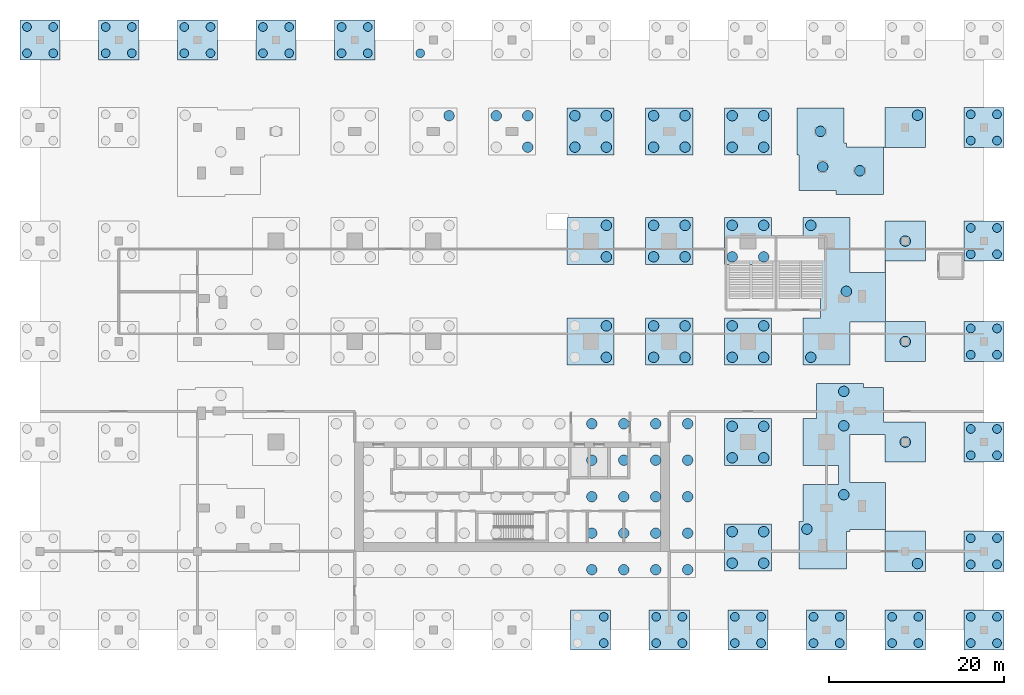
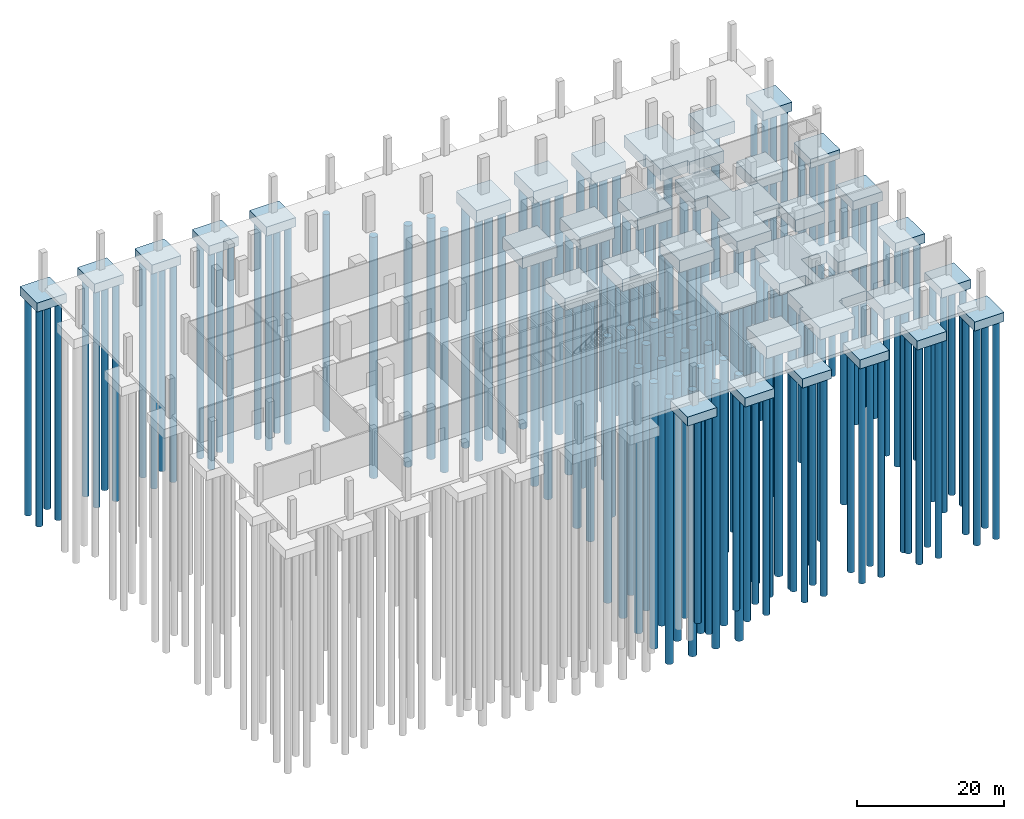
# One storey, part 2 of 9: 142 piles, 30 footings.
"""IFC4 building model written with IfcOpenShell, lengths in metres."""

from ifc_helpers import new_model, si_unit, direction, frame, origin, origin_2d, place, context, subcontext, project, spatial, polyline, circle, outline, extrude, material, material_profile, profile_set, type_object, element, save


model = new_model("IFC4")

# Units and contexts
model_context = context("Model", 3, precision=1e-05, world=origin(), true_north=direction((0.0, 1.0)))
body_context = subcontext(model_context, "Body", "Model", "MODEL_VIEW")
ifc_project = project(units=[si_unit("LENGTHUNIT", "METRE"), si_unit("AREAUNIT", "SQUARE_METRE"), si_unit("VOLUMEUNIT", "CUBIC_METRE"), si_unit("PLANEANGLEUNIT", "RADIAN"), si_unit("MASSUNIT", "GRAM", prefix="KILO")], contexts=[model_context])

# Site, building, storey
site_placement = place(None, origin())
site = spatial("IfcSite", under=ifc_project, at=site_placement, CompositionType="ELEMENT")
building_placement = place(site_placement, origin())
building = spatial("IfcBuilding", under=site, at=building_placement, Name="Brigalow Station Residences", CompositionType="ELEMENT")
storey_placement = place(building_placement, frame((0.0, 0.0, -6.0)))
storey = spatial("IfcBuildingStorey", under=building, at=storey_placement, Name="B1", CompositionType="ELEMENT", Elevation=-6.0)

# Piles
ifc_material_1 = material(Name="Concrete C50", Category="concrete")
ifc_material_profile_1 = material_profile(ifc_material_1, circle(Radius=0.5, at=origin_2d()), Name="BP1000")
ifc_profile_set_1 = profile_set([ifc_material_profile_1], Name="Concrete C50")
pile_type_1 = type_object("IfcPileType", Name="BORED PILE 1000", PredefinedType="BORED", material=ifc_profile_set_1)
for number, where, z_axis, x_axis, name in (
    (1, (46.5, -10.5, -2.0), (0.0, 0.0, -1.0), (1.0, 0.0, 0.0), "BORED PILE 08-3"),
    (2, (46.5, -7.5, -2.0), (0.0, 0.0, -1.0), (1.0, 0.0, 0.0), "BORED PILE 08-4"),
    (3, (52.5, -10.5, -2.0), (0.0, 0.0, -1.0), (1.0, 0.0, 0.0), "BORED PILE 09-1"),
    (4, (52.5, -7.5, -2.0), (0.0, 0.0, -1.0), (1.0, 0.0, 0.0), "BORED PILE 09-2"),
    (5, (55.5, -10.5, -2.0), (0.0, 0.0, -1.0), (1.0, 0.0, 0.0), "BORED PILE 09-3"),
    (6, (55.5, -7.5, -2.0), (0.0, 0.0, -1.0), (1.0, 0.0, 0.0), "BORED PILE 09-4"),
    (7, (61.5, -10.5, -2.0), (0.0, 0.0, -1.0), (1.0, 0.0, 0.0), "BORED PILE 10-1"),
    (8, (61.5, -7.5, -2.0), (0.0, 0.0, -1.0), (1.0, 0.0, 0.0), "BORED PILE 10-2"),
    (9, (64.5, -10.5, -2.0), (0.0, 0.0, -1.0), (1.0, 0.0, 0.0), "BORED PILE 10-3"),
    (10, (64.5, -7.5, -2.0), (0.0, 0.0, -1.0), (1.0, 0.0, 0.0), "BORED PILE 10-4"),
    (11, (70.5, -10.5, -2.0), (0.0, 0.0, -1.0), (1.0, 0.0, 0.0), "BORED PILE 11-1"),
    (12, (70.5, -7.5, -2.0), (0.0, 0.0, -1.0), (1.0, 0.0, 0.0), "BORED PILE 11-2"),
    (13, (73.5, -10.5, -2.0), (0.0, 0.0, -1.0), (1.0, 0.0, 0.0), "BORED PILE 11-3"),
    (14, (73.5, -7.5, -2.0), (0.0, 0.0, -1.0), (1.0, 0.0, 0.0), "BORED PILE 11-4"),
    (15, (79.5, -10.5, -2.0), (0.0, 0.0, -1.0), (1.0, 0.0, 0.0), "BORED PILE 12-1"),
    (16, (79.5, -7.5, -2.0), (0.0, 0.0, -1.0), (1.0, 0.0, 0.0), "BORED PILE 12-2"),
    (17, (82.5, -10.5, -2.0), (0.0, 0.0, -1.0), (1.0, 0.0, 0.0), "BORED PILE 12-3"),
    (18, (82.5, -7.5, -2.0), (0.0, 0.0, -1.0), (1.0, 0.0, 0.0), "BORED PILE 12-4"),
    (19, (88.5, -10.5, -2.0), (0.0, 0.0, -1.0), (1.0, 0.0, 0.0), "BORED PILE 13-1"),
    (20, (88.5, -7.5, -2.0), (0.0, 0.0, -1.0), (1.0, 0.0, 0.0), "BORED PILE 13-2"),
    (21, (91.5, -10.5, -2.0), (0.0, 0.0, -1.0), (1.0, 0.0, 0.0), "BORED PILE 13-3"),
    (22, (91.5, -7.5, -2.0), (0.0, 0.0, -1.0), (1.0, 0.0, 0.0), "BORED PILE 13-4"),
    (23, (88.5, -1.5, -2.0), (0.0, 0.0, -1.0), (1.0, 0.0, 0.0), "BORED PILE 18-1"),
    (24, (88.5, 1.5, -2.0), (0.0, 0.0, -1.0), (1.0, 0.0, 0.0), "BORED PILE 18-2"),
    (25, (91.5, -1.5, -2.0), (0.0, 0.0, -1.0), (1.0, 0.0, 0.0), "BORED PILE 18-3"),
    (26, (91.5, 1.5, -2.0), (0.0, 0.0, -1.0), (1.0, 0.0, 0.0), "BORED PILE 18-4"),
    (27, (88.5, 11.0, -2.0), (0.0, 0.0, -1.0), (1.0, 0.0, 0.0), "BORED PILE 24-1"),
    (28, (88.5, 14.0, -2.0), (0.0, 0.0, -1.0), (1.0, 0.0, 0.0), "BORED PILE 24-2"),
    (29, (91.5, 11.0, -2.0), (0.0, 0.0, -1.0), (1.0, 0.0, 0.0), "BORED PILE 24-3"),
    (30, (91.5, 14.0, -2.0), (0.0, 0.0, -1.0), (1.0, 0.0, 0.0), "BORED PILE 24-4"),
    (31, (88.5, 22.5, -2.0), (0.0, 0.0, -1.0), (1.0, 0.0, 0.0), "BORED PILE 34-1"),
    (32, (88.5, 25.5, -2.0), (0.0, 0.0, -1.0), (1.0, 0.0, 0.0), "BORED PILE 34-2"),
    (33, (91.5, 22.5, -2.0), (0.0, 0.0, -1.0), (1.0, 0.0, 0.0), "BORED PILE 34-3"),
    (34, (91.5, 25.5, -2.0), (0.0, 0.0, -1.0), (1.0, 0.0, 0.0), "BORED PILE 34-4"),
    (35, (88.5, 34.0, -2.0), (0.0, 0.0, -1.0), (1.0, 0.0, 0.0), "BORED PILE 42-1"),
    (36, (88.5, 37.0, -2.0), (0.0, 0.0, -1.0), (1.0, 0.0, 0.0), "BORED PILE 42-2"),
    (37, (91.5, 34.0, -2.0), (0.0, 0.0, -1.0), (1.0, 0.0, 0.0), "BORED PILE 42-3"),
    (38, (91.5, 37.0, -2.0), (0.0, 0.0, -1.0), (1.0, 0.0, 0.0), "BORED PILE 42-4"),
    (39, (88.5, 47.0, -2.0), (0.0, 0.0, -1.0), (1.0, 0.0, 0.0), "BORED PILE 53-1"),
    (40, (88.5, 50.0, -2.0), (0.0, 0.0, -1.0), (1.0, 0.0, 0.0), "BORED PILE 53-2"),
    (41, (91.5, 47.0, -2.0), (0.0, 0.0, -1.0), (1.0, 0.0, 0.0), "BORED PILE 53-3"),
    (42, (91.5, 50.0, -2.0), (0.0, 0.0, -1.0), (1.0, 0.0, 0.0), "BORED PILE 53-4"),
    (43, (-19.5, 57.0, -2.0), (0.0, 0.0, -1.0), (1.0, 0.0, 0.0), "BORED PILE 54-1"),
    (44, (-19.5, 60.0, -2.0), (0.0, 0.0, -1.0), (1.0, 0.0, 0.0), "BORED PILE 54-2"),
    (45, (-16.5, 57.0, -2.0), (0.0, 0.0, -1.0), (1.0, 0.0, 0.0), "BORED PILE 54-3"),
    (46, (-16.5, 60.0, -2.0), (0.0, 0.0, -1.0), (1.0, 0.0, 0.0), "BORED PILE 54-4"),
    (47, (-10.5, 57.0, -2.0), (0.0, 0.0, -1.0), (1.0, 0.0, 0.0), "BORED PILE 55-1"),
    (48, (-10.5, 60.0, -2.0), (0.0, 0.0, -1.0), (1.0, 0.0, 0.0), "BORED PILE 55-2"),
    (49, (-7.5, 57.0, -2.0), (0.0, 0.0, -1.0), (1.0, 0.0, 0.0), "BORED PILE 55-3"),
    (50, (-7.5, 60.0, -2.0), (0.0, 0.0, -1.0), (1.0, 0.0, 0.0), "BORED PILE 55-4"),
    (51, (-1.5, 57.0, -2.0), (0.0, 0.0, -1.0), (1.0, 0.0, 0.0), "BORED PILE 56-1"),
    (52, (-1.5, 60.0, -2.0), (0.0, 0.0, -1.0), (1.0, 0.0, 0.0), "BORED PILE 56-2"),
    (53, (1.5, 57.0, -2.0), (0.0, 0.0, -1.0), (1.0, 0.0, 0.0), "BORED PILE 56-3"),
    (54, (1.5, 60.0, -2.0), (0.0, 0.0, -1.0), (1.0, 0.0, 0.0), "BORED PILE 56-4"),
    (55, (7.5, 57.0, -2.0), (0.0, 0.0, -1.0), (1.0, 0.0, 0.0), "BORED PILE 57-1"),
    (56, (7.5, 60.0, -2.0), (0.0, 0.0, -1.0), (1.0, 0.0, 0.0), "BORED PILE 57-2"),
    (57, (10.5, 57.0, -2.0), (0.0, 0.0, -1.0), (1.0, 0.0, 0.0), "BORED PILE 57-3"),
    (58, (10.5, 60.0, -2.0), (0.0, 0.0, -1.0), (1.0, 0.0, 0.0), "BORED PILE 57-4"),
    (59, (16.5, 57.0, -2.0), (0.0, 0.0, -1.0), (1.0, 0.0, 0.0), "BORED PILE 58-1"),
    (60, (16.5, 60.0, -2.0), (0.0, 0.0, -1.0), (1.0, 0.0, 0.0), "BORED PILE 58-2"),
    (61, (19.5, 57.0, -2.0), (0.0, 0.0, -1.0), (1.0, 0.0, 0.0), "BORED PILE 58-3"),
    (62, (19.5, 60.0, -2.0), (0.0, 0.0, -1.0), (1.0, 0.0, 0.0), "BORED PILE 58-4"),
    (63, (25.5, 57.0, -2.0), (0.0, 0.0, -1.0), (1.0, 0.0, 0.0), "BORED PILE 59-1"),
):
    element("IfcPile", number, at=place(storey_placement, frame(where, z_axis=z_axis, x_axis=x_axis)), inside=storey, type_object=pile_type_1, Name=name, PredefinedType="BORED", context=body_context, shape_type="SweptSolid", body=[
        extrude(circle(Radius=0.5, at=origin_2d()), origin(), (0.0, 0.0, 1.0), 36.0),
    ])
ifc_material_2 = material(Name="Concrete C50", Category="concrete")
ifc_material_profile_2 = material_profile(ifc_material_2, circle(Radius=0.60009765625, at=origin_2d()), Name="BP1200")
ifc_profile_set_2 = profile_set([ifc_material_profile_2], Name="Concrete C50")
pile_type_2 = type_object("IfcPileType", Name="BORED PILE 1200", PredefinedType="BORED", material=ifc_profile_set_2)
for number, where, z_axis, x_axis, name in (
    (64, (69.75, 2.5400390625, -2.5), (0.0, 0.0, -1.0), (1.0, 0.0, 0.0), "BORED PILE 17-1"),
    (65, (73.966796875, 6.47998046875, -2.5), (0.0, 0.0, -1.0), (1.0, 0.0, 0.0), "BORED PILE 17-2"),
    (66, (73.966796875, 14.360107421875, -2.5), (0.0, 0.0, -1.0), (1.0, 0.0, 0.0), "BORED PILE 17-3"),
    (67, (73.966796875, 18.300048828125, -2.5), (0.0, 0.0, -1.0), (1.0, 0.0, 0.0), "BORED PILE 17-4"),
    (68, (81.0, 12.5, -2.5), (0.0, 0.0, -1.0), (1.0, 0.0, 0.0), "BORED PILE 17-5"),
    (69, (82.39990234375, -1.39990234375, -2.5), (0.0, 0.0, -1.0), (1.0, 0.0, 0.0), "BORED PILE 17-6"),
    (70, (61.199951171875, -1.35009765625, -2.5), (0.0, 0.0, -1.0), (1.0, 0.0, 0.0), "BORED PILE 19-1"),
    (71, (61.199951171875, 2.25, -2.5), (0.0, 0.0, -1.0), (1.0, 0.0, 0.0), "BORED PILE 19-2"),
    (72, (64.800048828125, -1.35009765625, -2.5), (0.0, 0.0, -1.0), (1.0, 0.0, 0.0), "BORED PILE 19-3"),
    (73, (64.800048828125, 2.25, -2.5), (0.0, 0.0, -1.0), (1.0, 0.0, 0.0), "BORED PILE 19-4"),
    (74, (61.199951171875, 10.699951171875, -2.5), (0.0, 0.0, -1.0), (1.0, 0.0, 0.0), "BORED PILE 23-1"),
    (75, (61.199951171875, 14.300048828125, -2.5), (0.0, 0.0, -1.0), (1.0, 0.0, 0.0), "BORED PILE 23-2"),
    (76, (64.800048828125, 10.699951171875, -2.5), (0.0, 0.0, -1.0), (1.0, 0.0, 0.0), "BORED PILE 23-3"),
    (77, (64.800048828125, 14.300048828125, -2.5), (0.0, 0.0, -1.0), (1.0, 0.0, 0.0), "BORED PILE 23-4"),
    (78, (46.800048828125, 22.199951171875, -2.5), (0.0, 0.0, -1.0), (1.0, 0.0, 0.0), "BORED PILE 30-3"),
    (79, (46.800048828125, 25.800048828125, -2.5), (0.0, 0.0, -1.0), (1.0, 0.0, 0.0), "BORED PILE 30-4"),
    (80, (52.199951171875, 22.199951171875, -2.5), (0.0, 0.0, -1.0), (1.0, 0.0, 0.0), "BORED PILE 31-1"),
    (81, (52.199951171875, 25.800048828125, -2.5), (0.0, 0.0, -1.0), (1.0, 0.0, 0.0), "BORED PILE 31-2"),
    (82, (55.800048828125, 22.199951171875, -2.5), (0.0, 0.0, -1.0), (1.0, 0.0, 0.0), "BORED PILE 31-3"),
    (83, (55.800048828125, 25.800048828125, -2.5), (0.0, 0.0, -1.0), (1.0, 0.0, 0.0), "BORED PILE 31-4"),
    (84, (61.199951171875, 22.199951171875, -2.5), (0.0, 0.0, -1.0), (1.0, 0.0, 0.0), "BORED PILE 32-1"),
    (85, (61.199951171875, 25.800048828125, -2.5), (0.0, 0.0, -1.0), (1.0, 0.0, 0.0), "BORED PILE 32-2"),
    (86, (64.800048828125, 22.199951171875, -2.5), (0.0, 0.0, -1.0), (1.0, 0.0, 0.0), "BORED PILE 32-3"),
    (87, (64.800048828125, 25.800048828125, -2.5), (0.0, 0.0, -1.0), (1.0, 0.0, 0.0), "BORED PILE 32-4"),
    (88, (70.199951171875, 22.199951171875, -2.5), (0.0, 0.0, -1.0), (1.0, 0.0, 0.0), "BORED PILE 33-1"),
    (89, (70.199951171875, 37.300048828125, -2.5), (0.0, 0.0, -1.0), (1.0, 0.0, 0.0), "BORED PILE 33-2"),
    (90, (74.2666015625, 29.75, -2.5), (0.0, 0.0, -1.0), (1.0, 0.0, 0.0), "BORED PILE 33-3"),
    (91, (81.0, 24.0, -2.5), (0.0, 0.0, -1.0), (1.0, 0.0, 0.0), "BORED PILE 33-4"),
    (92, (81.0, 35.5, -2.5), (0.0, 0.0, -1.0), (1.0, 0.0, 0.0), "BORED PILE 33-5"),
    (93, (46.800048828125, 33.699951171875, -2.5), (0.0, 0.0, -1.0), (1.0, 0.0, 0.0), "BORED PILE 39-3"),
    (94, (46.800048828125, 37.300048828125, -2.5), (0.0, 0.0, -1.0), (1.0, 0.0, 0.0), "BORED PILE 39-4"),
    (95, (52.199951171875, 33.699951171875, -2.5), (0.0, 0.0, -1.0), (1.0, 0.0, 0.0), "BORED PILE 40-1"),
    (96, (52.199951171875, 37.300048828125, -2.5), (0.0, 0.0, -1.0), (1.0, 0.0, 0.0), "BORED PILE 40-2"),
    (97, (55.800048828125, 33.699951171875, -2.5), (0.0, 0.0, -1.0), (1.0, 0.0, 0.0), "BORED PILE 40-3"),
    (98, (55.800048828125, 37.300048828125, -2.5), (0.0, 0.0, -1.0), (1.0, 0.0, 0.0), "BORED PILE 40-4"),
    (99, (61.199951171875, 33.699951171875, -2.5), (0.0, 0.0, -1.0), (1.0, 0.0, 0.0), "BORED PILE 41-1"),
    (100, (61.199951171875, 37.300048828125, -2.5), (0.0, 0.0, -1.0), (1.0, 0.0, 0.0), "BORED PILE 41-2"),
    (101, (64.800048828125, 33.699951171875, -2.5), (0.0, 0.0, -1.0), (1.0, 0.0, 0.0), "BORED PILE 41-3"),
    (102, (64.800048828125, 37.300048828125, -2.5), (0.0, 0.0, -1.0), (1.0, 0.0, 0.0), "BORED PILE 41-4"),
    (103, (71.300048828125, 48.050048828125, -2.5), (0.0, 0.0, -1.0), (1.0, 0.0, 0.0), "BORED PILE 44-1"),
    (104, (71.550048828125, 44.0, -2.5), (0.0, 0.0, -1.0), (1.0, 0.0, 0.0), "BORED PILE 44-2"),
    (105, (75.800048828125, 43.550048828125, -2.5), (0.0, 0.0, -1.0), (1.0, 0.0, 0.0), "BORED PILE 44-3"),
    (106, (82.39990234375, 49.89990234375, -2.5), (0.0, 0.0, -1.0), (1.0, 0.0, 0.0), "BORED PILE 44-4"),
    (107, (28.800048828125, 49.85009765625, -2.5), (0.0, 0.0, -1.0), (1.0, 0.0, 0.0), "BORED PILE 46-4"),
    (108, (34.199951171875, 49.85009765625, -2.5), (0.0, 0.0, -1.0), (1.0, 0.0, 0.0), "BORED PILE 47-2"),
    (109, (37.800048828125, 46.25, -2.5), (0.0, 0.0, -1.0), (1.0, 0.0, 0.0), "BORED PILE 47-3"),
    (110, (37.800048828125, 49.85009765625, -2.5), (0.0, 0.0, -1.0), (1.0, 0.0, 0.0), "BORED PILE 47-4"),
    (111, (43.199951171875, 46.25, -2.5), (0.0, 0.0, -1.0), (1.0, 0.0, 0.0), "BORED PILE 48-1"),
    (112, (43.199951171875, 49.85009765625, -2.5), (0.0, 0.0, -1.0), (1.0, 0.0, 0.0), "BORED PILE 48-2"),
    (113, (46.800048828125, 46.25, -2.5), (0.0, 0.0, -1.0), (1.0, 0.0, 0.0), "BORED PILE 48-3"),
    (114, (46.800048828125, 49.85009765625, -2.5), (0.0, 0.0, -1.0), (1.0, 0.0, 0.0), "BORED PILE 48-4"),
    (115, (52.199951171875, 46.25, -2.5), (0.0, 0.0, -1.0), (1.0, 0.0, 0.0), "BORED PILE 49-1"),
    (116, (52.199951171875, 49.85009765625, -2.5), (0.0, 0.0, -1.0), (1.0, 0.0, 0.0), "BORED PILE 49-2"),
    (117, (55.800048828125, 46.25, -2.5), (0.0, 0.0, -1.0), (1.0, 0.0, 0.0), "BORED PILE 49-3"),
    (118, (55.800048828125, 49.85009765625, -2.5), (0.0, 0.0, -1.0), (1.0, 0.0, 0.0), "BORED PILE 49-4"),
    (119, (61.199951171875, 46.25, -2.5), (0.0, 0.0, -1.0), (1.0, 0.0, 0.0), "BORED PILE 50-1"),
    (120, (61.199951171875, 49.85009765625, -2.5), (0.0, 0.0, -1.0), (1.0, 0.0, 0.0), "BORED PILE 50-2"),
    (121, (64.800048828125, 46.25, -2.5), (0.0, 0.0, -1.0), (1.0, 0.0, 0.0), "BORED PILE 50-3"),
    (122, (64.800048828125, 49.85009765625, -2.5), (0.0, 0.0, -1.0), (1.0, 0.0, 0.0), "BORED PILE 50-4"),
):
    element("IfcPile", number, at=place(storey_placement, frame(where, z_axis=z_axis, x_axis=x_axis)), inside=storey, type_object=pile_type_2, Name=name, PredefinedType="BORED", context=body_context, shape_type="SweptSolid", body=[
        extrude(circle(Radius=0.60009765625, at=origin_2d()), origin(), (0.0, 0.0, 1.0), 40.0),
    ])
ifc_material_3 = material(Name="Concrete C50", Category="concrete")
ifc_material_profile_3 = material_profile(ifc_material_3, circle(Radius=0.60009765625, at=origin_2d()), Name="BP1200")
ifc_profile_set_3 = profile_set([ifc_material_profile_3], Name="Concrete C50")
pile_type_3 = type_object("IfcPileType", Name="BORED PILE 1200 RAFT", PredefinedType="BORED", material=ifc_profile_set_3)
for number, where, z_axis, x_axis, name in (
    (123, (45.136474609375, -2.10009765625, -3.5), (0.0, 0.0, -1.0), (1.0, 0.0, 0.0), "BORED PILE RAFT-9"),
    (124, (48.791015625, -2.10009765625, -3.5), (0.0, 0.0, -1.0), (1.0, 0.0, 0.0), "BORED PILE RAFT-10"),
    (125, (52.445556640625, -2.10009765625, -3.5), (0.0, 0.0, -1.0), (1.0, 0.0, 0.0), "BORED PILE RAFT-11"),
    (126, (56.10009765625, -2.10009765625, -3.5), (0.0, 0.0, -1.0), (1.0, 0.0, 0.0), "BORED PILE RAFT-12"),
    (127, (45.136474609375, 2.074951171875, -3.5), (0.0, 0.0, -1.0), (1.0, 0.0, 0.0), "BORED PILE RAFT-21"),
    (128, (48.791015625, 2.074951171875, -3.5), (0.0, 0.0, -1.0), (1.0, 0.0, 0.0), "BORED PILE RAFT-22"),
    (129, (52.445556640625, 2.074951171875, -3.5), (0.0, 0.0, -1.0), (1.0, 0.0, 0.0), "BORED PILE RAFT-23"),
    (130, (56.10009765625, 2.074951171875, -3.5), (0.0, 0.0, -1.0), (1.0, 0.0, 0.0), "BORED PILE RAFT-24"),
    (131, (45.136474609375, 6.25, -3.5), (0.0, 0.0, -1.0), (1.0, 0.0, 0.0), "BORED PILE RAFT-33"),
    (132, (48.791015625, 6.25, -3.5), (0.0, 0.0, -1.0), (1.0, 0.0, 0.0), "BORED PILE RAFT-34"),
    (133, (52.445556640625, 6.25, -3.5), (0.0, 0.0, -1.0), (1.0, 0.0, 0.0), "BORED PILE RAFT-35"),
    (134, (56.10009765625, 6.25, -3.5), (0.0, 0.0, -1.0), (1.0, 0.0, 0.0), "BORED PILE RAFT-36"),
    (135, (45.136474609375, 10.425048828125, -3.5), (0.0, 0.0, -1.0), (1.0, 0.0, 0.0), "BORED PILE RAFT-45"),
    (136, (48.791015625, 10.425048828125, -3.5), (0.0, 0.0, -1.0), (1.0, 0.0, 0.0), "BORED PILE RAFT-46"),
    (137, (52.445556640625, 10.425048828125, -3.5), (0.0, 0.0, -1.0), (1.0, 0.0, 0.0), "BORED PILE RAFT-47"),
    (138, (56.10009765625, 10.425048828125, -3.5), (0.0, 0.0, -1.0), (1.0, 0.0, 0.0), "BORED PILE RAFT-48"),
    (139, (45.136474609375, 14.60009765625, -3.5), (0.0, 0.0, -1.0), (1.0, 0.0, 0.0), "BORED PILE RAFT-57"),
    (140, (48.791015625, 14.60009765625, -3.5), (0.0, 0.0, -1.0), (1.0, 0.0, 0.0), "BORED PILE RAFT-58"),
    (141, (52.445556640625, 14.60009765625, -3.5), (0.0, 0.0, -1.0), (1.0, 0.0, 0.0), "BORED PILE RAFT-59"),
    (142, (56.10009765625, 14.60009765625, -3.5), (0.0, 0.0, -1.0), (1.0, 0.0, 0.0), "BORED PILE RAFT-60"),
):
    element("IfcPile", number, at=place(storey_placement, frame(where, z_axis=z_axis, x_axis=x_axis)), inside=storey, type_object=pile_type_3, Name=name, PredefinedType="BORED", context=body_context, shape_type="SweptSolid", body=[
        extrude(circle(Radius=0.60009765625, at=origin_2d()), origin(), (0.0, 0.0, 1.0), 44.0),
    ])

# Footings
ifc_material_4 = material(Name="Concrete C65", Category="concrete")
footing_type_1 = type_object("IfcFootingType", Name="COMBINED PILE CAP", PredefinedType="PILE_CAP", material=ifc_material_4)
footing_1_placement = place(storey_placement, frame((0.0, 0.0, -2.5)))
element("IfcFooting", 143, at=footing_1_placement, inside=storey, type_object=footing_type_1, Name="PILE CAP 17", PredefinedType="PILE_CAP", context=body_context, shape_type="SweptSolid", body=[
    extrude(outline(polyline([(68.85009765625, 3.39990234375), (69.300048828125, 3.39990234375), (69.300048828125, 7.64990234375), (73.35009765625, 7.64990234375), (73.35009765625, 9.800048828125), (69.300048828125, 9.800048828125), (69.300048828125, 15.199951171875), (70.85009765625, 15.199951171875), (70.85009765625, 19.199951171875), (76.25, 19.199951171875), (76.25, 18.75), (78.5, 18.75), (78.5, 14.800048828125), (83.300048828125, 14.800048828125), (83.300048828125, 10.199951171875), (78.699951171875, 10.199951171875), (78.699951171875, 13.35009765625), (74.699951171875, 13.35009765625), (74.699951171875, 7.89990234375), (78.75, 7.89990234375), (78.75, 2.300048828125), (83.300048828125, 2.300048828125), (83.300048828125, -2.300048828125), (78.699951171875, -2.300048828125), (78.699951171875, 2.5), (74.699951171875, 2.5), (74.699951171875, 2.25), (74.25, 2.25), (74.25, -2.0), (68.85009765625, -2.0), (68.85009765625, 3.39990234375)])), origin(), (0.0, 0.0, 1.0), 2.0),
])
footing_2_placement = place(storey_placement, frame((0.0, 0.0, -2.5)))
element("IfcFooting", 144, at=footing_2_placement, inside=storey, type_object=footing_type_1, Name="PILE CAP 33", PredefinedType="PILE_CAP", context=body_context, shape_type="SweptSolid", body=[
    extrude(outline(polyline([(69.300048828125, 21.300048828125), (69.300048828125, 26.699951171875), (71.300048828125, 26.699951171875), (71.300048828125, 32.800048828125), (69.300048828125, 32.800048828125), (69.300048828125, 38.199951171875), (74.699951171875, 38.199951171875), (74.699951171875, 31.89990234375), (78.699951171875, 31.89990234375), (78.699951171875, 37.800048828125), (83.300048828125, 37.800048828125), (83.300048828125, 33.199951171875), (78.75, 33.199951171875), (78.75, 26.300048828125), (83.300048828125, 26.300048828125), (83.300048828125, 21.699951171875), (78.699951171875, 21.699951171875), (78.699951171875, 26.25), (74.699951171875, 26.25), (74.699951171875, 21.300048828125), (69.300048828125, 21.300048828125)])), origin(), (0.0, 0.0, 1.0), 2.0),
])
footing_3_placement = place(storey_placement, frame((0.0, 0.0, -2.5)))
element("IfcFooting", 145, at=footing_3_placement, inside=storey, type_object=footing_type_1, Name="PILE CAP 44", PredefinedType="PILE_CAP", context=body_context, shape_type="SweptSolid", body=[
    extrude(outline(polyline([(68.60009765625, 45.35009765625), (68.60009765625, 50.75), (74.0, 50.75), (74.0, 46.699951171875), (74.25, 46.699951171875), (74.25, 46.25), (78.699951171875, 46.25), (78.699951171875, 50.800048828125), (83.300048828125, 50.800048828125), (83.300048828125, 46.199951171875), (78.5, 46.199951171875), (78.5, 40.85009765625), (73.10009765625, 40.85009765625), (73.10009765625, 41.300048828125), (68.85009765625, 41.300048828125), (68.85009765625, 45.35009765625), (68.60009765625, 45.35009765625)])), origin(), (0.0, 0.0, 1.0), 2.0),
])
ifc_material_5 = material(Name="Concrete C65", Category="concrete")
footing_type_2 = type_object("IfcFootingType", Name="PODIUM PILE CAP", PredefinedType="PILE_CAP", material=ifc_material_5)
footing_4_placement = place(storey_placement, frame((0.0, 0.0, -2.0)))
element("IfcFooting", 146, at=footing_4_placement, inside=storey, type_object=footing_type_2, Name="PILE CAP 08", PredefinedType="PILE_CAP", context=body_context, shape_type="SweptSolid", body=[
    extrude(outline(polyline([(47.300048828125, -11.300048828125), (47.300048828125, -6.699951171875), (42.699951171875, -6.699951171875), (42.699951171875, -11.300048828125), (47.300048828125, -11.300048828125)])), origin(), (0.0, 0.0, 1.0), 1.5),
])
footing_5_placement = place(storey_placement, frame((0.0, 0.0, -2.0)))
element("IfcFooting", 147, at=footing_5_placement, inside=storey, type_object=footing_type_2, Name="PILE CAP 09", PredefinedType="PILE_CAP", context=body_context, shape_type="SweptSolid", body=[
    extrude(outline(polyline([(56.300048828125, -11.300048828125), (56.300048828125, -6.699951171875), (51.699951171875, -6.699951171875), (51.699951171875, -11.300048828125), (56.300048828125, -11.300048828125)])), origin(), (0.0, 0.0, 1.0), 1.5),
])
footing_6_placement = place(storey_placement, frame((0.0, 0.0, -2.0)))
element("IfcFooting", 148, at=footing_6_placement, inside=storey, type_object=footing_type_2, Name="PILE CAP 10", PredefinedType="PILE_CAP", context=body_context, shape_type="SweptSolid", body=[
    extrude(outline(polyline([(65.300048828125, -11.300048828125), (65.300048828125, -6.699951171875), (60.699951171875, -6.699951171875), (60.699951171875, -11.300048828125), (65.300048828125, -11.300048828125)])), origin(), (0.0, 0.0, 1.0), 1.5),
])
footing_7_placement = place(storey_placement, frame((0.0, 0.0, -2.0)))
element("IfcFooting", 149, at=footing_7_placement, inside=storey, type_object=footing_type_2, Name="PILE CAP 11", PredefinedType="PILE_CAP", context=body_context, shape_type="SweptSolid", body=[
    extrude(outline(polyline([(74.300048828125, -11.300048828125), (74.300048828125, -6.699951171875), (69.699951171875, -6.699951171875), (69.699951171875, -11.300048828125), (74.300048828125, -11.300048828125)])), origin(), (0.0, 0.0, 1.0), 1.5),
])
footing_8_placement = place(storey_placement, frame((0.0, 0.0, -2.0)))
element("IfcFooting", 150, at=footing_8_placement, inside=storey, type_object=footing_type_2, Name="PILE CAP 12", PredefinedType="PILE_CAP", context=body_context, shape_type="SweptSolid", body=[
    extrude(outline(polyline([(83.300048828125, -11.300048828125), (83.300048828125, -6.699951171875), (78.699951171875, -6.699951171875), (78.699951171875, -11.300048828125), (83.300048828125, -11.300048828125)])), origin(), (0.0, 0.0, 1.0), 1.5),
])
footing_9_placement = place(storey_placement, frame((0.0, 0.0, -2.0)))
element("IfcFooting", 151, at=footing_9_placement, inside=storey, type_object=footing_type_2, Name="PILE CAP 13", PredefinedType="PILE_CAP", context=body_context, shape_type="SweptSolid", body=[
    extrude(outline(polyline([(92.300048828125, -11.300048828125), (92.300048828125, -6.699951171875), (87.699951171875, -6.699951171875), (87.699951171875, -11.300048828125), (92.300048828125, -11.300048828125)])), origin(), (0.0, 0.0, 1.0), 1.5),
])
footing_10_placement = place(storey_placement, frame((0.0, 0.0, -2.0)))
element("IfcFooting", 152, at=footing_10_placement, inside=storey, type_object=footing_type_2, Name="PILE CAP 18", PredefinedType="PILE_CAP", context=body_context, shape_type="SweptSolid", body=[
    extrude(outline(polyline([(92.300048828125, -2.300048828125), (92.300048828125, 2.300048828125), (87.699951171875, 2.300048828125), (87.699951171875, -2.300048828125), (92.300048828125, -2.300048828125)])), origin(), (0.0, 0.0, 1.0), 1.5),
])
footing_11_placement = place(storey_placement, frame((0.0, 0.0, -2.0)))
element("IfcFooting", 153, at=footing_11_placement, inside=storey, type_object=footing_type_2, Name="PILE CAP 24", PredefinedType="PILE_CAP", context=body_context, shape_type="SweptSolid", body=[
    extrude(outline(polyline([(92.300048828125, 10.199951171875), (92.300048828125, 14.800048828125), (87.699951171875, 14.800048828125), (87.699951171875, 10.199951171875), (92.300048828125, 10.199951171875)])), origin(), (0.0, 0.0, 1.0), 1.5),
])
footing_12_placement = place(storey_placement, frame((0.0, 0.0, -2.0)))
element("IfcFooting", 154, at=footing_12_placement, inside=storey, type_object=footing_type_2, Name="PILE CAP 34", PredefinedType="PILE_CAP", context=body_context, shape_type="SweptSolid", body=[
    extrude(outline(polyline([(92.300048828125, 21.699951171875), (92.300048828125, 26.300048828125), (87.699951171875, 26.300048828125), (87.699951171875, 21.699951171875), (92.300048828125, 21.699951171875)])), origin(), (0.0, 0.0, 1.0), 1.5),
])
footing_13_placement = place(storey_placement, frame((0.0, 0.0, -2.0)))
element("IfcFooting", 155, at=footing_13_placement, inside=storey, type_object=footing_type_2, Name="PILE CAP 42", PredefinedType="PILE_CAP", context=body_context, shape_type="SweptSolid", body=[
    extrude(outline(polyline([(92.300048828125, 33.199951171875), (92.300048828125, 37.800048828125), (87.699951171875, 37.800048828125), (87.699951171875, 33.199951171875), (92.300048828125, 33.199951171875)])), origin(), (0.0, 0.0, 1.0), 1.5),
])
footing_14_placement = place(storey_placement, frame((0.0, 0.0, -2.0)))
element("IfcFooting", 156, at=footing_14_placement, inside=storey, type_object=footing_type_2, Name="PILE CAP 53", PredefinedType="PILE_CAP", context=body_context, shape_type="SweptSolid", body=[
    extrude(outline(polyline([(92.300048828125, 46.199951171875), (92.300048828125, 50.800048828125), (87.699951171875, 50.800048828125), (87.699951171875, 46.199951171875), (92.300048828125, 46.199951171875)])), origin(), (0.0, 0.0, 1.0), 1.5),
])
footing_15_placement = place(storey_placement, frame((0.0, 0.0, -2.0)))
element("IfcFooting", 157, at=footing_15_placement, inside=storey, type_object=footing_type_2, Name="PILE CAP 54", PredefinedType="PILE_CAP", context=body_context, shape_type="SweptSolid", body=[
    extrude(outline(polyline([(-15.699951171875, 56.199951171875), (-15.699951171875, 60.800048828125), (-20.300048828125, 60.800048828125), (-20.300048828125, 56.199951171875), (-15.699951171875, 56.199951171875)])), origin(), (0.0, 0.0, 1.0), 1.5),
])
footing_16_placement = place(storey_placement, frame((0.0, 0.0, -2.0)))
element("IfcFooting", 158, at=footing_16_placement, inside=storey, type_object=footing_type_2, Name="PILE CAP 55", PredefinedType="PILE_CAP", context=body_context, shape_type="SweptSolid", body=[
    extrude(outline(polyline([(-6.699951171875, 56.199951171875), (-6.699951171875, 60.800048828125), (-11.300048828125, 60.800048828125), (-11.300048828125, 56.199951171875), (-6.699951171875, 56.199951171875)])), origin(), (0.0, 0.0, 1.0), 1.5),
])
footing_17_placement = place(storey_placement, frame((0.0, 0.0, -2.0)))
element("IfcFooting", 159, at=footing_17_placement, inside=storey, type_object=footing_type_2, Name="PILE CAP 56", PredefinedType="PILE_CAP", context=body_context, shape_type="SweptSolid", body=[
    extrude(outline(polyline([(2.300048828125, 56.199951171875), (2.300048828125, 60.800048828125), (-2.300048828125, 60.800048828125), (-2.300048828125, 56.199951171875), (2.300048828125, 56.199951171875)])), origin(), (0.0, 0.0, 1.0), 1.5),
])
footing_18_placement = place(storey_placement, frame((0.0, 0.0, -2.0)))
element("IfcFooting", 160, at=footing_18_placement, inside=storey, type_object=footing_type_2, Name="PILE CAP 57", PredefinedType="PILE_CAP", context=body_context, shape_type="SweptSolid", body=[
    extrude(outline(polyline([(11.300048828125, 56.199951171875), (11.300048828125, 60.800048828125), (6.699951171875, 60.800048828125), (6.699951171875, 56.199951171875), (11.300048828125, 56.199951171875)])), origin(), (0.0, 0.0, 1.0), 1.5),
])
footing_19_placement = place(storey_placement, frame((0.0, 0.0, -2.0)))
element("IfcFooting", 161, at=footing_19_placement, inside=storey, type_object=footing_type_2, Name="PILE CAP 58", PredefinedType="PILE_CAP", context=body_context, shape_type="SweptSolid", body=[
    extrude(outline(polyline([(20.300048828125, 56.199951171875), (20.300048828125, 60.800048828125), (15.699951171875, 60.800048828125), (15.699951171875, 56.199951171875), (20.300048828125, 56.199951171875)])), origin(), (0.0, 0.0, 1.0), 1.5),
])
ifc_material_6 = material(Name="Concrete C65", Category="concrete")
footing_type_3 = type_object("IfcFootingType", Name="TOWER PILE CAP", PredefinedType="PILE_CAP", material=ifc_material_6)
footing_20_placement = place(storey_placement, frame((0.0, 0.0, -2.5)))
element("IfcFooting", 162, at=footing_20_placement, inside=storey, type_object=footing_type_3, Name="PILE CAP 19", PredefinedType="PILE_CAP", context=body_context, shape_type="SweptSolid", body=[
    extrude(outline(polyline([(65.699951171875, -2.25), (65.699951171875, 3.14990234375), (60.300048828125, 3.14990234375), (60.300048828125, -2.25), (65.699951171875, -2.25)])), origin(), (0.0, 0.0, 1.0), 2.0),
])
footing_21_placement = place(storey_placement, frame((0.0, 0.0, -2.5)))
element("IfcFooting", 163, at=footing_21_placement, inside=storey, type_object=footing_type_3, Name="PILE CAP 23", PredefinedType="PILE_CAP", context=body_context, shape_type="SweptSolid", body=[
    extrude(outline(polyline([(65.699951171875, 9.800048828125), (65.699951171875, 15.199951171875), (60.300048828125, 15.199951171875), (60.300048828125, 9.800048828125), (65.699951171875, 9.800048828125)])), origin(), (0.0, 0.0, 1.0), 2.0),
])
footing_22_placement = place(storey_placement, frame((0.0, 0.0, -2.5)))
element("IfcFooting", 164, at=footing_22_placement, inside=storey, type_object=footing_type_3, Name="PILE CAP 30", PredefinedType="PILE_CAP", context=body_context, shape_type="SweptSolid", body=[
    extrude(outline(polyline([(47.699951171875, 21.300048828125), (47.699951171875, 26.699951171875), (42.300048828125, 26.699951171875), (42.300048828125, 21.300048828125), (47.699951171875, 21.300048828125)])), origin(), (0.0, 0.0, 1.0), 2.0),
])
footing_23_placement = place(storey_placement, frame((0.0, 0.0, -2.5)))
element("IfcFooting", 165, at=footing_23_placement, inside=storey, type_object=footing_type_3, Name="PILE CAP 31", PredefinedType="PILE_CAP", context=body_context, shape_type="SweptSolid", body=[
    extrude(outline(polyline([(56.699951171875, 21.300048828125), (56.699951171875, 26.699951171875), (51.300048828125, 26.699951171875), (51.300048828125, 21.300048828125), (56.699951171875, 21.300048828125)])), origin(), (0.0, 0.0, 1.0), 2.0),
])
footing_24_placement = place(storey_placement, frame((0.0, 0.0, -2.5)))
element("IfcFooting", 166, at=footing_24_placement, inside=storey, type_object=footing_type_3, Name="PILE CAP 32", PredefinedType="PILE_CAP", context=body_context, shape_type="SweptSolid", body=[
    extrude(outline(polyline([(65.699951171875, 21.300048828125), (65.699951171875, 26.699951171875), (60.300048828125, 26.699951171875), (60.300048828125, 21.300048828125), (65.699951171875, 21.300048828125)])), origin(), (0.0, 0.0, 1.0), 2.0),
])
footing_25_placement = place(storey_placement, frame((0.0, 0.0, -2.5)))
element("IfcFooting", 167, at=footing_25_placement, inside=storey, type_object=footing_type_3, Name="PILE CAP 39", PredefinedType="PILE_CAP", context=body_context, shape_type="SweptSolid", body=[
    extrude(outline(polyline([(47.699951171875, 32.800048828125), (47.699951171875, 38.199951171875), (42.300048828125, 38.199951171875), (42.300048828125, 32.800048828125), (47.699951171875, 32.800048828125)])), origin(), (0.0, 0.0, 1.0), 2.0),
])
footing_26_placement = place(storey_placement, frame((0.0, 0.0, -2.5)))
element("IfcFooting", 168, at=footing_26_placement, inside=storey, type_object=footing_type_3, Name="PILE CAP 40", PredefinedType="PILE_CAP", context=body_context, shape_type="SweptSolid", body=[
    extrude(outline(polyline([(56.699951171875, 32.800048828125), (56.699951171875, 38.199951171875), (51.300048828125, 38.199951171875), (51.300048828125, 32.800048828125), (56.699951171875, 32.800048828125)])), origin(), (0.0, 0.0, 1.0), 2.0),
])
footing_27_placement = place(storey_placement, frame((0.0, 0.0, -2.5)))
element("IfcFooting", 169, at=footing_27_placement, inside=storey, type_object=footing_type_3, Name="PILE CAP 41", PredefinedType="PILE_CAP", context=body_context, shape_type="SweptSolid", body=[
    extrude(outline(polyline([(65.699951171875, 32.800048828125), (65.699951171875, 38.199951171875), (60.300048828125, 38.199951171875), (60.300048828125, 32.800048828125), (65.699951171875, 32.800048828125)])), origin(), (0.0, 0.0, 1.0), 2.0),
])
footing_28_placement = place(storey_placement, frame((0.0, 0.0, -2.5)))
element("IfcFooting", 170, at=footing_28_placement, inside=storey, type_object=footing_type_3, Name="PILE CAP 48", PredefinedType="PILE_CAP", context=body_context, shape_type="SweptSolid", body=[
    extrude(outline(polyline([(47.699951171875, 45.35009765625), (47.699951171875, 50.75), (42.300048828125, 50.75), (42.300048828125, 45.35009765625), (47.699951171875, 45.35009765625)])), origin(), (0.0, 0.0, 1.0), 2.0),
])
footing_29_placement = place(storey_placement, frame((0.0, 0.0, -2.5)))
element("IfcFooting", 171, at=footing_29_placement, inside=storey, type_object=footing_type_3, Name="PILE CAP 49", PredefinedType="PILE_CAP", context=body_context, shape_type="SweptSolid", body=[
    extrude(outline(polyline([(56.699951171875, 45.35009765625), (56.699951171875, 50.75), (51.300048828125, 50.75), (51.300048828125, 45.35009765625), (56.699951171875, 45.35009765625)])), origin(), (0.0, 0.0, 1.0), 2.0),
])
footing_30_placement = place(storey_placement, frame((0.0, 0.0, -2.5)))
element("IfcFooting", 172, at=footing_30_placement, inside=storey, type_object=footing_type_3, Name="PILE CAP 50", PredefinedType="PILE_CAP", context=body_context, shape_type="SweptSolid", body=[
    extrude(outline(polyline([(65.699951171875, 45.35009765625), (65.699951171875, 50.75), (60.300048828125, 50.75), (60.300048828125, 45.35009765625), (65.699951171875, 45.35009765625)])), origin(), (0.0, 0.0, 1.0), 2.0),
])

save(model, "model.ifc")
